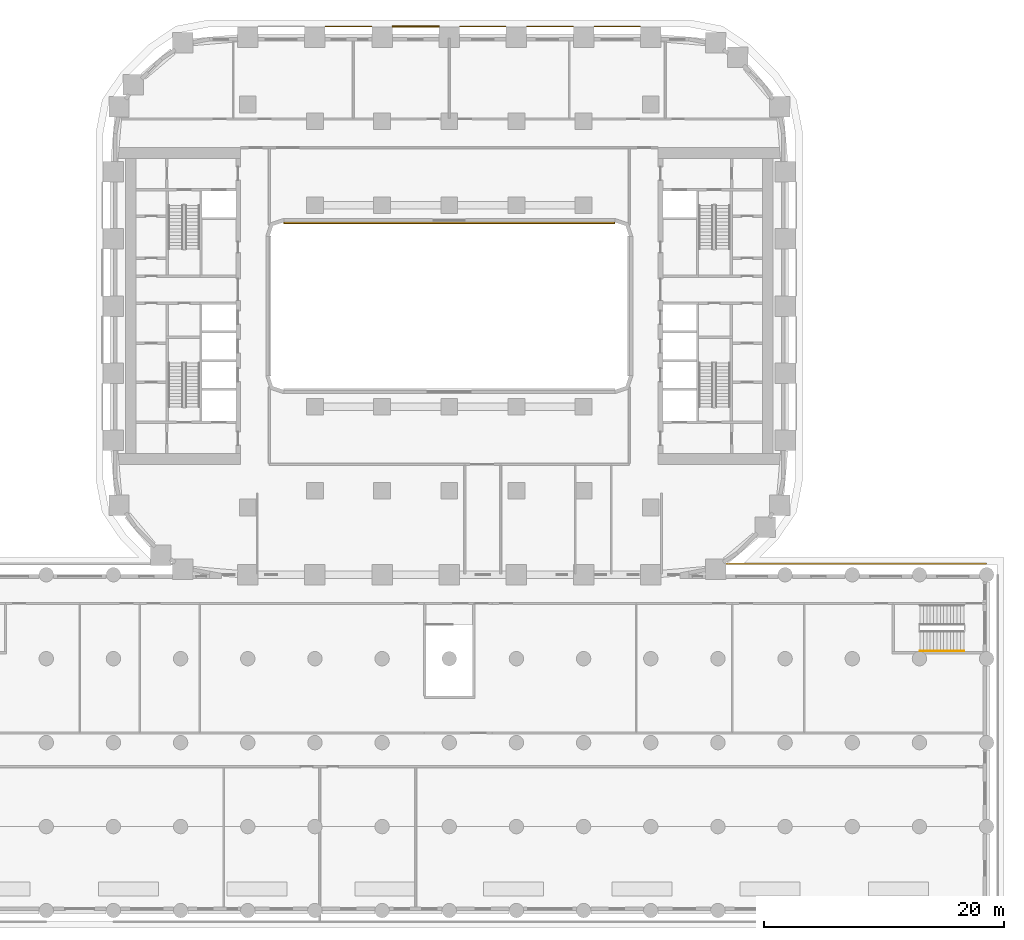
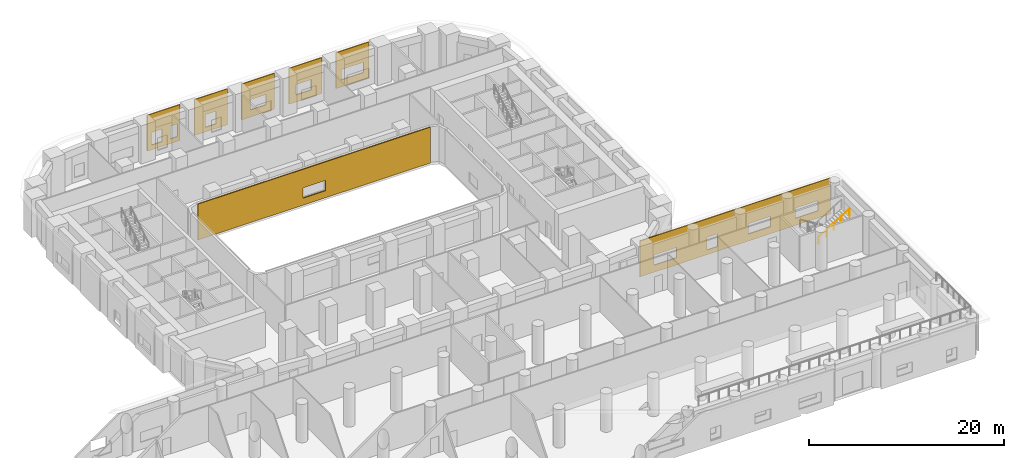
# One storey, part 22 of 24: 7 coverings, 1 railing.
"""IFC4 building model written with IfcOpenShell, lengths in metres."""

import ifcopenshell
import ifcopenshell.guid

model = None  # the IFC model being written
_history = None  # IfcOwnerHistory: only IFC2X3 demands one
_inside = {}  # id of a spatial element -> (the spatial element, [elements in it])
_under = {}  # id of a project, library or spatial element -> (it, [spatial elements below it])
_declared = {}  # id of a project -> (the project, [libraries it declares])
_typed = {}  # id of a type object -> (the type object, [elements of that type])
_made_of = {}  # id of a material, layer set ... -> (it, [elements and type objects made of it])


def new_model(schema):
    """Start an empty IFC model of exactly this schema.

    Asked for "IFC4X3", IfcOpenShell would pick the latest addendum, in which some entities
    have other attributes; the version numbers below select the first issue.
    IFC2X3 requires an IfcOwnerHistory on every rooted entity: one is made here for all.
    """
    global model, _history
    if schema == "IFC4X3":
        model = ifcopenshell.file(schema_version=(4, 3, 0, 0))
    else:
        model = ifcopenshell.file(schema=schema)
    _inside.clear()
    _under.clear()
    _declared.clear()
    _typed.clear()
    _made_of.clear()
    _history = None
    if model.schema == "IFC2X3":
        org = make("IfcOrganization", Name="unknown")
        user = make(
            "IfcPersonAndOrganization",
            ThePerson=make("IfcPerson", FamilyName="unknown"),
            TheOrganization=org,
        )
        app = make(
            "IfcApplication",
            ApplicationDeveloper=org,
            Version="unknown",
            ApplicationFullName="unknown",
            ApplicationIdentifier="unknown",
        )
        _history = make(
            "IfcOwnerHistory",
            OwningUser=user,
            OwningApplication=app,
            ChangeAction="ADDED",
            CreationDate=0,
        )
    return model


def make(cls, **values):
    """One entity of the class cls with the attributes given. An attribute that is None is left unset."""
    return model.create_entity(
        cls, **{name: value for name, value in values.items() if value is not None}
    )


def rooted(cls, **values):
    """An entity with a GlobalId (a new one), such as an element, a storey or a relation."""
    return make(cls, GlobalId=ifcopenshell.guid.new(), OwnerHistory=_history, **values)


def si_unit(unit_type, name, prefix=None):
    """IfcSIUnit, for example si_unit("LENGTHUNIT", "METRE", prefix="MILLI")."""
    return make("IfcSIUnit", UnitType=unit_type, Prefix=prefix, Name=name)


def assignment(units):
    """IfcUnitAssignment: the units of a project."""
    return None if units is None else make("IfcUnitAssignment", Units=units)


def point(xyz):
    """IfcCartesianPoint."""
    return None if xyz is None else make("IfcCartesianPoint", Coordinates=xyz)


def direction(xyz):
    """IfcDirection."""
    return None if xyz is None else make("IfcDirection", DirectionRatios=xyz)


def frame(location, z_axis=None, x_axis=None):
    """IfcAxis2Placement3D, a coordinate frame: its origin and axes. An axis left out is left unset."""
    return make(
        "IfcAxis2Placement3D",
        Location=point(location),
        Axis=direction(z_axis),
        RefDirection=direction(x_axis),
    )


def frame_2d(location, x_axis=None):
    """IfcAxis2Placement2D, a coordinate frame in the plane: its origin and x axis."""
    return make(
        "IfcAxis2Placement2D", Location=point(location), RefDirection=direction(x_axis)
    )


def origin():
    """The frame at (0, 0, 0) with its axes left unset."""
    return frame((0.0, 0.0, 0.0))


def origin_2d():
    """The frame at (0, 0) in the plane with its x axis left unset."""
    return frame_2d((0.0, 0.0))


def place(relative_to, where):
    """IfcLocalPlacement: puts the frame where relative to a parent placement (None: the world)."""
    return make(
        "IfcLocalPlacement", PlacementRelTo=relative_to, RelativePlacement=where
    )


def context(
    kind, dimensions, precision=None, world=None, true_north=None, identifier=None
):
    """IfcGeometricRepresentationContext, for example the 3D "Model" context."""
    return make(
        "IfcGeometricRepresentationContext",
        ContextIdentifier=identifier,
        ContextType=kind,
        CoordinateSpaceDimension=dimensions,
        Precision=precision,
        WorldCoordinateSystem=world,
        TrueNorth=true_north,
    )


def subcontext(parent, identifier, kind, view, scale=None):
    """IfcGeometricRepresentationSubContext, for example "Body" below "Model"."""
    return make(
        "IfcGeometricRepresentationSubContext",
        ContextIdentifier=identifier,
        ContextType=kind,
        ParentContext=parent,
        TargetScale=scale,
        TargetView=view,
    )


def project(units=None, contexts=None):
    """IfcProject with its units and contexts."""
    return rooted(
        "IfcProject",
        Name="project",
        RepresentationContexts=contexts,
        UnitsInContext=assignment(units),
    )


def spatial(cls, under=None, at=None, **own):
    """A site, building, storey or space (cls), placed at a placement, below another one or the project."""
    s = rooted(cls, ObjectPlacement=at, **own)
    if under is not None:
        _under.setdefault(under.id(), (under, []))[1].append(s)
    return s


def polyline(points):
    """IfcPolyline through the points."""
    return make("IfcPolyline", Points=[point(p) for p in points])


def profile(cls, at=None, kind="AREA", **sizes):
    """A parametric profile (cls). Its sizes go by their IFC names, for example OverallWidth=200.0."""
    return make(cls, ProfileType=kind, Position=at, **sizes)


def circle(**sizes):
    """IfcCircleProfileDef."""
    return profile("IfcCircleProfileDef", **sizes)


def outline(outer, holes=None, kind="AREA"):
    """IfcArbitraryClosedProfileDef: a profile drawn as a closed curve; with holes, ...WithVoids."""
    if holes is None:
        return make("IfcArbitraryClosedProfileDef", ProfileType=kind, OuterCurve=outer)
    return make(
        "IfcArbitraryProfileDefWithVoids",
        ProfileType=kind,
        OuterCurve=outer,
        InnerCurves=holes,
    )


def extrude(swept, where, along, depth):
    """IfcExtrudedAreaSolid: the profile swept, set in the frame where, extruded along a direction by depth."""
    return make(
        "IfcExtrudedAreaSolid",
        SweptArea=swept,
        Position=where,
        ExtrudedDirection=direction(along),
        Depth=depth,
    )


def shape(context_of_items, identifier, shape_type, items):
    """IfcShapeRepresentation: the items that make up one representation, for example the "Body"."""
    return make(
        "IfcShapeRepresentation",
        ContextOfItems=context_of_items,
        RepresentationIdentifier=identifier,
        RepresentationType=shape_type,
        Items=items,
    )


def material(Name=None, Category=None):
    """IfcMaterial."""
    return make("IfcMaterial", Name=Name, Category=Category)


def layer(
    of_material, thickness, ventilated=None, Name=None, Category=None, Priority=None
):
    """IfcMaterialLayer: one layer of a wall or slab, of a material (None: an air gap)."""
    return make(
        "IfcMaterialLayer",
        Material=of_material,
        LayerThickness=thickness,
        IsVentilated=ventilated,
        Name=Name,
        Category=Category,
        Priority=Priority,
    )


def layer_set(layers, Name=None):
    """IfcMaterialLayerSet."""
    return make("IfcMaterialLayerSet", MaterialLayers=layers, LayerSetName=Name)


def made_of(thing, what):
    """Note that an element or type object is made of a material, layer set ...; save() writes the relation."""
    if what is not None:
        _made_of.setdefault(what.id(), (what, []))[1].append(thing)
    return thing


def type_object(cls, material=None, **own):
    """A type object (cls), such as IfcWallType, which elements share."""
    return made_of(rooted(cls, **own), material)


def element(
    cls,
    number,
    at=None,
    inside=None,
    cuts=None,
    type_object=None,
    material=None,
    context=None,
    identifier="Body",
    shape_type=None,
    held_by="IfcProductDefinitionShape",
    body=None,
    shapes=None,
    **own,
):
    """One element of the class cls, such as IfcWall. Its Tag is "e" and its number.

    at: its placement. inside: the storey or other place that contains it. cuts: it is an
    opening in that element (IfcRelVoidsElement). A single representation is given by context,
    identifier, shape_type and body (its items); several are given by shapes. held_by: the class
    of the entity that holds the representations. save() writes the other relations.
    """
    e = rooted(cls, Tag="e%d" % number, ObjectPlacement=at, **own)
    if body is not None:
        shapes = [shape(context, identifier, shape_type, body)]
    if shapes is not None:
        e.Representation = make(held_by, Representations=shapes)
    if inside is not None:
        _inside.setdefault(inside.id(), (inside, []))[1].append(e)
    if cuts is not None:
        rooted(
            "IfcRelVoidsElement", RelatingBuildingElement=cuts, RelatedOpeningElement=e
        )
    if type_object is not None:
        _typed.setdefault(type_object.id(), (type_object, []))[1].append(e)
    return made_of(e, material)


def aggregate(whole, parts):
    """IfcRelAggregates: a whole, such as a stair, and the parts it consists of."""
    return rooted("IfcRelAggregates", RelatingObject=whole, RelatedObjects=parts)


def save(model, path):
    """Write the relations noted so far, then the file.

    IfcRelAggregates (storeys below a building ...), IfcRelContainedInSpatialStructure (elements
    in a storey), IfcRelDefinesByType, IfcRelAssociatesMaterial and IfcRelDeclares: one each for
    every whole, place, type object, material and project.
    """
    for whole, parts in _under.values():
        aggregate(whole, parts)
    for where, things in _inside.values():
        rooted(
            "IfcRelContainedInSpatialStructure",
            RelatedElements=things,
            RelatingStructure=where,
        )
    for kind, things in _typed.values():
        rooted("IfcRelDefinesByType", RelatedObjects=things, RelatingType=kind)
    for what, things in _made_of.values():
        rooted("IfcRelAssociatesMaterial", RelatedObjects=things, RelatingMaterial=what)
    for by, libraries in _declared.values():
        rooted("IfcRelDeclares", RelatingContext=by, RelatedDefinitions=libraries)
    model.write(path)


model = new_model("IFC4")

# Units and contexts
model_context = context("Model", 3, precision=1e-05, world=origin(), true_north=direction((0.0, 1.0)))
body_context = subcontext(model_context, "Body", "Model", "MODEL_VIEW")
ifc_project = project(units=[si_unit("LENGTHUNIT", "METRE"), si_unit("AREAUNIT", "SQUARE_METRE"), si_unit("VOLUMEUNIT", "CUBIC_METRE"), si_unit("PLANEANGLEUNIT", "RADIAN"), si_unit("MASSUNIT", "GRAM", prefix="KILO")], contexts=[model_context])

# Site, building, storey
site_placement = place(None, origin())
site = spatial("IfcSite", under=ifc_project, at=site_placement, CompositionType="ELEMENT")
building_placement = place(site_placement, origin())
building = spatial("IfcBuilding", under=site, at=building_placement, Name="Kiln Ring Residences", CompositionType="ELEMENT")
storey_placement = place(building_placement, frame((0.0, 0.0, 11.300048828125)))
storey = spatial("IfcBuildingStorey", under=building, at=storey_placement, Name="L02", CompositionType="ELEMENT", Elevation=11.300048828125)

# Railing
ifc_material_1 = material(Name="Stainless steel", Category="steel")
railing_type = type_object("IfcRailingType", Name="PODIUM-STAIR-HANDRAIL", PredefinedType="HANDRAIL", material=ifc_material_1)
railing_placement = place(storey_placement, frame((39.260009765625, -28.75, 2.5712890625)))
element("IfcRailing", 1, at=railing_placement, inside=storey, type_object=railing_type, Name="L02 PS-E stair handrail 2", PredefinedType="HANDRAIL", context=body_context, shape_type="SweptSolid", body=[
    extrude(circle(Radius=0.02392578125, at=origin_2d()), frame((0.0, 0.0, 0.8759765625), z_axis=(0.852824790078, 0.0, 0.522197163366), x_axis=(0.0, 1.0, 0.0)), (0.0, 0.0, 1.0), 4.26806640625),
    extrude(circle(Radius=0.02099609375, at=origin_2d()), origin(), (0.0, 0.0, 1.0), 0.851806640625),
    extrude(circle(Radius=0.02099609375, at=origin_2d()), frame((0.909912109375, 0.0, 0.55712890625)), (0.0, 0.0, 1.0), 0.851806640625),
    extrude(circle(Radius=0.02099609375, at=origin_2d()), frame((1.81982421875, 0.0, 1.1142578125)), (0.0, 0.0, 1.0), 0.851806640625),
    extrude(circle(Radius=0.02099609375, at=origin_2d()), frame((2.72998046875, 0.0, 1.671630859375)), (0.0, 0.0, 1.0), 0.851806640625),
    extrude(circle(Radius=0.02099609375, at=origin_2d()), frame((3.639892578125, 0.0, 2.228759765625)), (0.0, 0.0, 1.0), 0.851806640625),
])

# Coverings
ifc_material_2 = material(Name="Brick masonry, dark clay brick", Category="masonry")
ifc_layer = layer(ifc_material_2, 0.1201171875)
ifc_layer_set = layer_set([ifc_layer], Name="RAINSCREEN PANEL 120")
covering_type = type_object("IfcCoveringType", Name="RAINSCREEN PANEL 120", PredefinedType="CLADDING", material=ifc_layer_set)
covering_1_placement = place(storey_placement, frame((44.800048828125, -21.489990234375, 0.0), z_axis=(0.0, 0.0, 1.0), x_axis=(-1.0, 0.0, 0.0)))
element("IfcCovering", 2, at=covering_1_placement, inside=storey, type_object=covering_type, Name="RAINSCREEN L02", PredefinedType="CLADDING", context=body_context, shape_type="SweptSolid", body=[
    extrude(outline(polyline([(0.0, 0.0), (22.59130859375, 0.0), (22.59130859375, 4.5), (0.0, 4.5), (0.0, 0.0)]), holes=[polyline([(14.6201171875, 0.579833984375), (14.6201171875, 2.169921875), (13.3798828125, 2.169921875), (13.3798828125, 0.579833984375), (14.6201171875, 0.579833984375)]), polyline([(4.1201171875, 0.8798828125), (4.1201171875, 2.169921875), (1.47998046875, 2.169921875), (1.47998046875, 0.8798828125), (4.1201171875, 0.8798828125)]), polyline([(9.719970703125, 0.8798828125), (9.719970703125, 2.169921875), (7.080078125, 2.169921875), (7.080078125, 0.8798828125), (9.719970703125, 0.8798828125)]), polyline([(20.890625, 0.8798828125), (20.890625, 2.169921875), (18.25048828125, 2.169921875), (18.25048828125, 0.8798828125), (20.890625, 0.8798828125)])]), frame((0.0, 0.06005859375, 0.0), z_axis=(0.0, -1.0, 0.0), x_axis=(1.0, 0.0, 0.0)), (0.0, 0.0, 1.0), 0.1201171875),
])
covering_2_placement = place(storey_placement, frame((15.949951171875, 23.31005859375, 0.0), z_axis=(0.0, 0.0, 1.0), x_axis=(-1.0, 0.0, 0.0)))
element("IfcCovering", 3, at=covering_2_placement, inside=storey, type_object=covering_type, Name="RAINSCREEN L02", PredefinedType="CLADDING", context=body_context, shape_type="SweptSolid", body=[
    extrude(outline(polyline([(0.0, 0.0), (3.89990234375, 0.0), (3.89990234375, 4.5), (0.0, 4.5), (0.0, 0.0)]), holes=[polyline([(0.6298828125, 2.169921875), (0.6298828125, 0.8798828125), (3.27001953125, 0.8798828125), (3.27001953125, 2.169921875), (0.6298828125, 2.169921875)])]), frame((0.0, 0.06005859375, 0.0), z_axis=(0.0, -1.0, 0.0), x_axis=(1.0, 0.0, 0.0)), (0.0, 0.0, 1.0), 0.1201171875),
])
covering_3_placement = place(storey_placement, frame((10.35009765625, 23.31005859375, 0.0), z_axis=(0.0, 0.0, 1.0), x_axis=(-1.0, 0.0, 0.0)))
element("IfcCovering", 4, at=covering_3_placement, inside=storey, type_object=covering_type, Name="RAINSCREEN L02", PredefinedType="CLADDING", context=body_context, shape_type="SweptSolid", body=[
    extrude(outline(polyline([(0.0, 0.0), (3.89990234375, 0.0), (3.89990234375, 4.5), (0.0, 4.5), (0.0, 0.0)]), holes=[polyline([(1.242431640625, 2.169921875), (1.242431640625, 0.8798828125), (3.08251953125, 0.8798828125), (3.08251953125, 2.169921875), (1.242431640625, 2.169921875)])]), frame((0.0, 0.06005859375, 0.0), z_axis=(0.0, -1.0, 0.0), x_axis=(1.0, 0.0, 0.0)), (0.0, 0.0, 1.0), 0.1201171875),
])
covering_4_placement = place(storey_placement, frame((4.75, 23.31005859375, 0.0), z_axis=(0.0, 0.0, 1.0), x_axis=(-1.0, 0.0, 0.0)))
element("IfcCovering", 5, at=covering_4_placement, inside=storey, type_object=covering_type, Name="RAINSCREEN L02", PredefinedType="CLADDING", context=body_context, shape_type="SweptSolid", body=[
    extrude(outline(polyline([(0.0, 0.0), (3.89990234375, 0.0), (3.89990234375, 4.5), (0.0, 4.5), (0.0, 0.0)]), holes=[polyline([(1.030029296875, 2.169921875), (1.030029296875, 0.8798828125), (2.8701171875, 0.8798828125), (2.8701171875, 2.169921875), (1.030029296875, 2.169921875)])]), frame((0.0, 0.06005859375, 0.0), z_axis=(0.0, -1.0, 0.0), x_axis=(1.0, 0.0, 0.0)), (0.0, 0.0, 1.0), 0.1201171875),
])
covering_5_placement = place(storey_placement, frame((-0.85009765625, 23.31005859375, 0.0), z_axis=(0.0, 0.0, 1.0), x_axis=(-1.0, 0.0, 0.0)))
element("IfcCovering", 6, at=covering_5_placement, inside=storey, type_object=covering_type, Name="RAINSCREEN L02", PredefinedType="CLADDING", context=body_context, shape_type="SweptSolid", body=[
    extrude(outline(polyline([(0.0, 0.0), (3.89990234375, 0.0), (3.89990234375, 4.5), (0.0, 4.5), (0.0, 0.0)]), holes=[polyline([(1.330078125, 2.169921875), (1.330078125, 0.579833984375), (2.570068359375, 0.579833984375), (2.570068359375, 2.169921875), (1.330078125, 2.169921875)])]), frame((0.0, 0.06005859375, 0.0), z_axis=(0.0, -1.0, 0.0), x_axis=(1.0, 0.0, 0.0)), (0.0, 0.0, 1.0), 0.1201171875),
])
covering_6_placement = place(storey_placement, frame((-6.449951171875, 23.31005859375, 0.0), z_axis=(0.0, 0.0, 1.0), x_axis=(-1.0, 0.0, 0.0)))
element("IfcCovering", 7, at=covering_6_placement, inside=storey, type_object=covering_type, Name="RAINSCREEN L02", PredefinedType="CLADDING", context=body_context, shape_type="SweptSolid", body=[
    extrude(outline(polyline([(0.0, 0.0), (3.89990234375, 0.0), (3.89990234375, 4.5), (0.0, 4.5), (0.0, 0.0)]), holes=[polyline([(1.157470703125, 2.169921875), (0.3173828125, 2.169921875), (0.3173828125, 0.579833984375), (1.157470703125, 0.579833984375), (1.157470703125, 2.169921875)]), polyline([(3.382568359375, 2.169921875), (2.142578125, 2.169921875), (2.142578125, 0.579833984375), (3.382568359375, 0.579833984375), (3.382568359375, 2.169921875)])]), frame((0.0, 0.06005859375, 0.0), z_axis=(0.0, -1.0, 0.0), x_axis=(1.0, 0.0, 0.0)), (0.0, 0.0, 1.0), 0.1201171875),
])
covering_7_placement = place(storey_placement, frame((-13.800048828125, 6.93994140625, 0.0), z_axis=(0.0, 0.0, 1.0), x_axis=(1.0, 0.0, 0.0)))
element("IfcCovering", 8, at=covering_7_placement, inside=storey, type_object=covering_type, Name="RAINSCREEN L02", PredefinedType="CLADDING", context=body_context, shape_type="SweptSolid", body=[
    extrude(outline(polyline([(0.0, 0.0), (27.60009765625, 0.0), (27.60009765625, 4.5), (0.0, 4.5), (0.0, 0.0)]), holes=[polyline([(12.47998046875, 2.169921875), (12.47998046875, 0.8798828125), (15.1201171875, 0.8798828125), (15.1201171875, 2.169921875), (12.47998046875, 2.169921875)])]), frame((0.0, 0.06005859375, 0.0), z_axis=(0.0, -1.0, 0.0), x_axis=(1.0, 0.0, 0.0)), (0.0, 0.0, 1.0), 0.1201171875),
])

save(model, "model.ifc")
